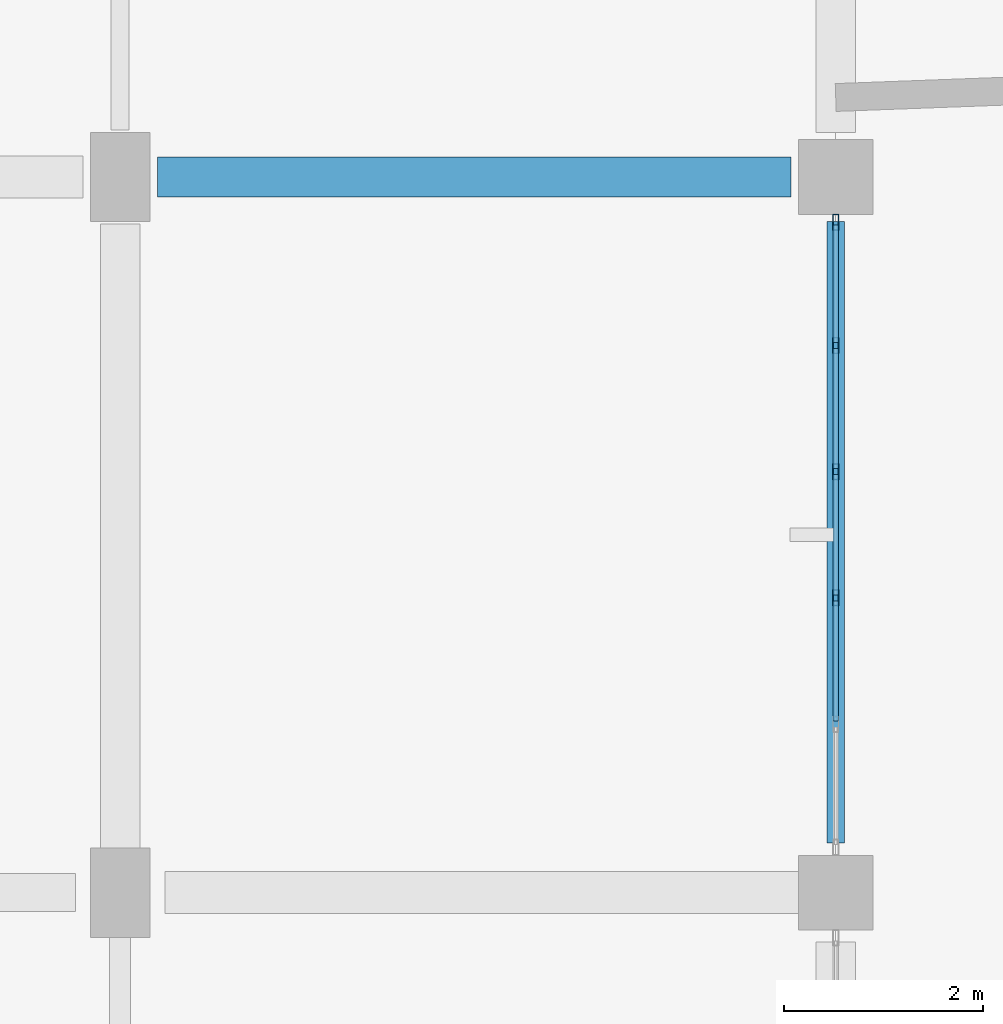
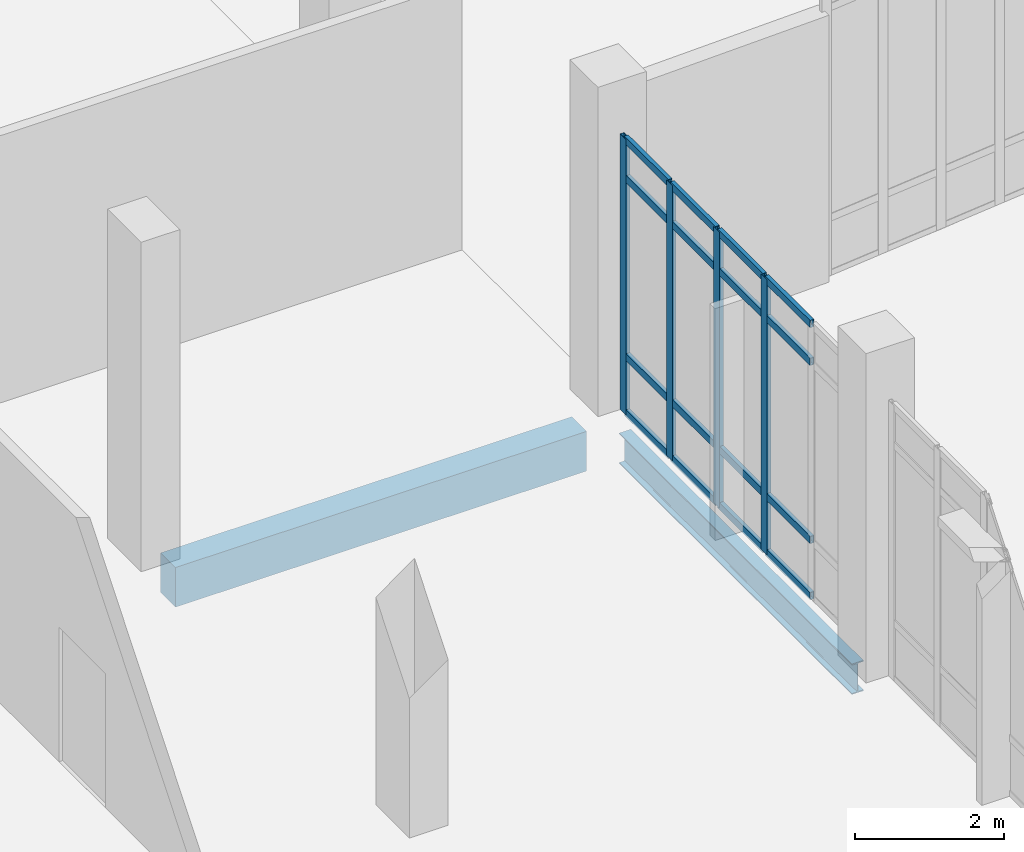
# One storey, part 19 of 110: 20 members, 2 beams, 1 element without a shape of its own.
"""IFC4 building model written with IfcOpenShell, lengths in metres."""

from ifc_helpers import new_model, si_unit, direction, frame, origin, origin_2d, place, context, subcontext, project, spatial, rectangle, hollow_rectangle, i_section, extrude, material, material_profile, profile_set, type_object, element, aggregate, save


model = new_model("IFC4")

# Units and contexts
model_context = context("Model", 3, precision=1e-05, world=origin(), true_north=direction((0.0, 1.0)))
body_context = subcontext(model_context, "Body", "Model", "MODEL_VIEW")
ifc_project = project(units=[si_unit("LENGTHUNIT", "METRE"), si_unit("AREAUNIT", "SQUARE_METRE"), si_unit("VOLUMEUNIT", "CUBIC_METRE"), si_unit("PLANEANGLEUNIT", "RADIAN"), si_unit("MASSUNIT", "GRAM", prefix="KILO")], contexts=[model_context])

# Site, building, storey
site_placement = place(None, origin())
site = spatial("IfcSite", under=ifc_project, at=site_placement, CompositionType="ELEMENT")
building_placement = place(site_placement, origin())
building = spatial("IfcBuilding", under=site, at=building_placement, Name="Kalluvel Institute of Natural Sciences", CompositionType="ELEMENT")
storey_placement = place(building_placement, origin())
storey = spatial("IfcBuildingStorey", under=building, at=storey_placement, Name="L00", CompositionType="ELEMENT", Elevation=0.0)

# Beams
ifc_material_1 = material(Name="Steel E350 Grade 350", Category="steel")
ifc_material_profile_1 = material_profile(ifc_material_1, i_section(OverallWidth=0.179931640625, OverallDepth=0.5, WebThickness=0.01025390625, FlangeThickness=0.01708984375, FilletRadius=0.01708984375, at=origin_2d()), Name="ISMB 500")
ifc_profile_set_1 = profile_set([ifc_material_profile_1], Name="Steel E350 Grade 350")
beam_type_1 = type_object("IfcBeamType", Name="BM-ISMB500", PredefinedType="BEAM", material=ifc_profile_set_1)
beam_1_placement = place(storey_placement, frame((35.60009765625, 43.300048828125, -0.570068359375), z_axis=(0.0, 1.0, 0.0), x_axis=(-1.0, 0.0, 0.0)))
element("IfcBeam", 1, at=beam_1_placement, inside=storey, type_object=beam_type_1, Name="L00 girder GIR-L00-NS-X356-Y428", PredefinedType="BEAM", context=body_context, shape_type="SweptSolid", body=[
    extrude(i_section(OverallWidth=0.179931640625, OverallDepth=0.5, WebThickness=0.01025390625, FlangeThickness=0.01708984375, FilletRadius=0.01708984375, at=origin_2d()), origin(), (0.0, 0.0, 1.0), 6.25),
])
ifc_material_2 = material(Name="Concrete M40", Category="concrete")
ifc_material_profile_2 = material_profile(ifc_material_2, rectangle(XDim=0.39990234375, YDim=0.64990234375, at=origin_2d()), Name="RCB 400x650")
ifc_profile_set_2 = profile_set([ifc_material_profile_2], Name="Concrete M40")
beam_type_2 = type_object("IfcBeamType", Name="BM-RC400x650", PredefinedType="BEAM", material=ifc_profile_set_2)
beam_2_placement = place(storey_placement, frame((28.77490234375, 50.0, -0.64501953125), z_axis=(1.0, 0.0, 0.0), x_axis=(0.0, 1.0, 0.0)))
element("IfcBeam", 2, at=beam_2_placement, inside=storey, type_object=beam_type_2, Name="L00 girder GIR-L00-EW-X284-Y500", PredefinedType="BEAM", context=body_context, shape_type="SweptSolid", body=[
    extrude(rectangle(XDim=0.39990234375, YDim=0.64990234375, at=origin_2d()), origin(), (0.0, 0.0, 1.0), 6.375),
])

# Curtain wall, members
ifc_material_3 = material(Name="Aluminium AW-6063 T6", Category="aluminium")
curtain_wall_type = type_object("IfcCurtainWallType", Name="CW-DRY-54", PredefinedType="USERDEFINED", material=ifc_material_3)
curtain_wall_placement = place(storey_placement, origin())
curtain_wall = element("IfcCurtainWall", 3, at=curtain_wall_placement, inside=storey, type_object=curtain_wall_type, Name="L00 Gothic lancet curtain wall CWA-L00-X356-Y432", ObjectType="UNITISED LANCET FACADE", PredefinedType="USERDEFINED")
ifc_material_profile_3 = material_profile(ifc_material_3, hollow_rectangle(XDim=0.06005859375, YDim=0.159912109375, WallThickness=0.00390625, at=origin_2d()), Name="CWM 60x160")
ifc_profile_set_3 = profile_set([ifc_material_profile_3], Name="Aluminium AW-6063 T6")
member_type_1 = type_object("IfcMemberType", Name="CWM-60x160", PredefinedType="MULLION", material=ifc_profile_set_3)
member_1_placement = place(storey_placement, frame((35.60009765625, 45.764892578125, 0.0), z_axis=(0.0, 0.0, 1.0), x_axis=(-1.0, 0.0, 0.0)))
member_1 = element("IfcMember", 4, at=member_1_placement, type_object=member_type_1, Name="CW-04 mullion 3", PredefinedType="MULLION", context=body_context, shape_type="SweptSolid", body=[
    extrude(hollow_rectangle(XDim=0.06005859375, YDim=0.159912109375, WallThickness=0.00390625, at=origin_2d()), origin(), (0.0, 0.0, 1.0), 4.52001953125),
])
member_2_placement = place(storey_placement, frame((35.60009765625, 47.034912109375, 0.0), z_axis=(0.0, 0.0, 1.0), x_axis=(-1.0, 0.0, 0.0)))
member_2 = element("IfcMember", 5, at=member_2_placement, type_object=member_type_1, Name="CW-04 mullion 4", PredefinedType="MULLION", context=body_context, shape_type="SweptSolid", body=[
    extrude(hollow_rectangle(XDim=0.06005859375, YDim=0.159912109375, WallThickness=0.00390625, at=origin_2d()), origin(), (0.0, 0.0, 1.0), 4.52001953125),
])
member_3_placement = place(storey_placement, frame((35.60009765625, 48.304931640625, 0.0), z_axis=(0.0, 0.0, 1.0), x_axis=(-1.0, 0.0, 0.0)))
member_3 = element("IfcMember", 6, at=member_3_placement, type_object=member_type_1, Name="CW-04 mullion 5", PredefinedType="MULLION", context=body_context, shape_type="SweptSolid", body=[
    extrude(hollow_rectangle(XDim=0.06005859375, YDim=0.159912109375, WallThickness=0.00390625, at=origin_2d()), origin(), (0.0, 0.0, 1.0), 4.52001953125),
])
member_4_placement = place(storey_placement, frame((35.60009765625, 49.544921875, 0.0), z_axis=(0.0, 0.0, 1.0), x_axis=(-1.0, 0.0, 0.0)))
member_4 = element("IfcMember", 7, at=member_4_placement, type_object=member_type_1, Name="CW-04 mullion 6", PredefinedType="MULLION", context=body_context, shape_type="SweptSolid", body=[
    extrude(hollow_rectangle(XDim=0.06005859375, YDim=0.159912109375, WallThickness=0.00390625, at=origin_2d()), origin(), (0.0, 0.0, 1.0), 4.52001953125),
])
ifc_material_profile_4 = material_profile(ifc_material_3, hollow_rectangle(XDim=0.06005859375, YDim=0.1201171875, WallThickness=0.00390625, at=origin_2d()), Name="CWT 60x120")
ifc_profile_set_4 = profile_set([ifc_material_profile_4], Name="Aluminium AW-6063 T6")
member_type_2 = type_object("IfcMemberType", Name="CWT-60x120", PredefinedType="USERDEFINED", material=ifc_profile_set_4)
member_5_placement = place(storey_placement, frame((35.60009765625, 44.52490234375, 0.030029296875), z_axis=(0.0, 1.0, 0.0), x_axis=(-1.0, 0.0, 0.0)))
member_5 = element("IfcMember", 8, at=member_5_placement, type_object=member_type_2, Name="CW-04 transom 2.1", ObjectType="TRANSOM", PredefinedType="USERDEFINED", context=body_context, shape_type="SweptSolid", body=[
    extrude(hollow_rectangle(XDim=0.06005859375, YDim=0.1201171875, WallThickness=0.00390625, at=origin_2d()), origin(), (0.0, 0.0, 1.0), 1.210205078125),
])
member_6_placement = place(storey_placement, frame((35.60009765625, 44.52490234375, 0.949951171875), z_axis=(0.0, 1.0, 0.0), x_axis=(-1.0, 0.0, 0.0)))
member_6 = element("IfcMember", 9, at=member_6_placement, type_object=member_type_2, Name="CW-04 transom 2.2", ObjectType="TRANSOM", PredefinedType="USERDEFINED", context=body_context, shape_type="SweptSolid", body=[
    extrude(hollow_rectangle(XDim=0.06005859375, YDim=0.1201171875, WallThickness=0.00390625, at=origin_2d()), origin(), (0.0, 0.0, 1.0), 1.210205078125),
])
member_7_placement = place(storey_placement, frame((35.60009765625, 44.52490234375, 3.8701171875), z_axis=(0.0, 1.0, 0.0), x_axis=(-1.0, 0.0, 0.0)))
member_7 = element("IfcMember", 10, at=member_7_placement, type_object=member_type_2, Name="CW-04 transom 2.3", ObjectType="TRANSOM", PredefinedType="USERDEFINED", context=body_context, shape_type="SweptSolid", body=[
    extrude(hollow_rectangle(XDim=0.06005859375, YDim=0.1201171875, WallThickness=0.00390625, at=origin_2d()), origin(), (0.0, 0.0, 1.0), 1.210205078125),
])
member_8_placement = place(storey_placement, frame((35.60009765625, 44.52490234375, 4.489990234375), z_axis=(0.0, 1.0, 0.0), x_axis=(-1.0, 0.0, 0.0)))
member_8 = element("IfcMember", 11, at=member_8_placement, type_object=member_type_2, Name="CW-04 transom 2.4", ObjectType="TRANSOM", PredefinedType="USERDEFINED", context=body_context, shape_type="SweptSolid", body=[
    extrude(hollow_rectangle(XDim=0.06005859375, YDim=0.1201171875, WallThickness=0.00390625, at=origin_2d()), origin(), (0.0, 0.0, 1.0), 1.210205078125),
])
member_9_placement = place(storey_placement, frame((35.60009765625, 45.794921875, 0.030029296875), z_axis=(0.0, 1.0, 0.0), x_axis=(-1.0, 0.0, 0.0)))
member_9 = element("IfcMember", 12, at=member_9_placement, type_object=member_type_2, Name="CW-04 transom 3.1", ObjectType="TRANSOM", PredefinedType="USERDEFINED", context=body_context, shape_type="SweptSolid", body=[
    extrude(hollow_rectangle(XDim=0.06005859375, YDim=0.1201171875, WallThickness=0.00390625, at=origin_2d()), origin(), (0.0, 0.0, 1.0), 1.2099609375),
])
member_10_placement = place(storey_placement, frame((35.60009765625, 45.794921875, 0.949951171875), z_axis=(0.0, 1.0, 0.0), x_axis=(-1.0, 0.0, 0.0)))
member_10 = element("IfcMember", 13, at=member_10_placement, type_object=member_type_2, Name="CW-04 transom 3.2", ObjectType="TRANSOM", PredefinedType="USERDEFINED", context=body_context, shape_type="SweptSolid", body=[
    extrude(hollow_rectangle(XDim=0.06005859375, YDim=0.1201171875, WallThickness=0.00390625, at=origin_2d()), origin(), (0.0, 0.0, 1.0), 1.2099609375),
])
member_11_placement = place(storey_placement, frame((35.60009765625, 45.794921875, 3.8701171875), z_axis=(0.0, 1.0, 0.0), x_axis=(-1.0, 0.0, 0.0)))
member_11 = element("IfcMember", 14, at=member_11_placement, type_object=member_type_2, Name="CW-04 transom 3.3", ObjectType="TRANSOM", PredefinedType="USERDEFINED", context=body_context, shape_type="SweptSolid", body=[
    extrude(hollow_rectangle(XDim=0.06005859375, YDim=0.1201171875, WallThickness=0.00390625, at=origin_2d()), origin(), (0.0, 0.0, 1.0), 1.2099609375),
])
member_12_placement = place(storey_placement, frame((35.60009765625, 45.794921875, 4.489990234375), z_axis=(0.0, 1.0, 0.0), x_axis=(-1.0, 0.0, 0.0)))
member_12 = element("IfcMember", 15, at=member_12_placement, type_object=member_type_2, Name="CW-04 transom 3.4", ObjectType="TRANSOM", PredefinedType="USERDEFINED", context=body_context, shape_type="SweptSolid", body=[
    extrude(hollow_rectangle(XDim=0.06005859375, YDim=0.1201171875, WallThickness=0.00390625, at=origin_2d()), origin(), (0.0, 0.0, 1.0), 1.2099609375),
])
member_13_placement = place(storey_placement, frame((35.60009765625, 47.06494140625, 0.030029296875), z_axis=(0.0, 1.0, 0.0), x_axis=(-1.0, 0.0, 0.0)))
member_13 = element("IfcMember", 16, at=member_13_placement, type_object=member_type_2, Name="CW-04 transom 4.1", ObjectType="TRANSOM", PredefinedType="USERDEFINED", context=body_context, shape_type="SweptSolid", body=[
    extrude(hollow_rectangle(XDim=0.06005859375, YDim=0.1201171875, WallThickness=0.00390625, at=origin_2d()), origin(), (0.0, 0.0, 1.0), 1.2099609375),
])
member_14_placement = place(storey_placement, frame((35.60009765625, 47.06494140625, 0.949951171875), z_axis=(0.0, 1.0, 0.0), x_axis=(-1.0, 0.0, 0.0)))
member_14 = element("IfcMember", 17, at=member_14_placement, type_object=member_type_2, Name="CW-04 transom 4.2", ObjectType="TRANSOM", PredefinedType="USERDEFINED", context=body_context, shape_type="SweptSolid", body=[
    extrude(hollow_rectangle(XDim=0.06005859375, YDim=0.1201171875, WallThickness=0.00390625, at=origin_2d()), origin(), (0.0, 0.0, 1.0), 1.2099609375),
])
member_15_placement = place(storey_placement, frame((35.60009765625, 47.06494140625, 3.8701171875), z_axis=(0.0, 1.0, 0.0), x_axis=(-1.0, 0.0, 0.0)))
member_15 = element("IfcMember", 18, at=member_15_placement, type_object=member_type_2, Name="CW-04 transom 4.3", ObjectType="TRANSOM", PredefinedType="USERDEFINED", context=body_context, shape_type="SweptSolid", body=[
    extrude(hollow_rectangle(XDim=0.06005859375, YDim=0.1201171875, WallThickness=0.00390625, at=origin_2d()), origin(), (0.0, 0.0, 1.0), 1.2099609375),
])
member_16_placement = place(storey_placement, frame((35.60009765625, 47.06494140625, 4.489990234375), z_axis=(0.0, 1.0, 0.0), x_axis=(-1.0, 0.0, 0.0)))
member_16 = element("IfcMember", 19, at=member_16_placement, type_object=member_type_2, Name="CW-04 transom 4.4", ObjectType="TRANSOM", PredefinedType="USERDEFINED", context=body_context, shape_type="SweptSolid", body=[
    extrude(hollow_rectangle(XDim=0.06005859375, YDim=0.1201171875, WallThickness=0.00390625, at=origin_2d()), origin(), (0.0, 0.0, 1.0), 1.2099609375),
])
member_17_placement = place(storey_placement, frame((35.60009765625, 48.3349609375, 0.030029296875), z_axis=(0.0, 1.0, 0.0), x_axis=(-1.0, 0.0, 0.0)))
member_17 = element("IfcMember", 20, at=member_17_placement, type_object=member_type_2, Name="CW-04 transom 5.1", ObjectType="TRANSOM", PredefinedType="USERDEFINED", context=body_context, shape_type="SweptSolid", body=[
    extrude(hollow_rectangle(XDim=0.06005859375, YDim=0.1201171875, WallThickness=0.00390625, at=origin_2d()), origin(), (0.0, 0.0, 1.0), 1.179931640625),
])
member_18_placement = place(storey_placement, frame((35.60009765625, 48.3349609375, 0.949951171875), z_axis=(0.0, 1.0, 0.0), x_axis=(-1.0, 0.0, 0.0)))
member_18 = element("IfcMember", 21, at=member_18_placement, type_object=member_type_2, Name="CW-04 transom 5.2", ObjectType="TRANSOM", PredefinedType="USERDEFINED", context=body_context, shape_type="SweptSolid", body=[
    extrude(hollow_rectangle(XDim=0.06005859375, YDim=0.1201171875, WallThickness=0.00390625, at=origin_2d()), origin(), (0.0, 0.0, 1.0), 1.179931640625),
])
member_19_placement = place(storey_placement, frame((35.60009765625, 48.3349609375, 3.8701171875), z_axis=(0.0, 1.0, 0.0), x_axis=(-1.0, 0.0, 0.0)))
member_19 = element("IfcMember", 22, at=member_19_placement, type_object=member_type_2, Name="CW-04 transom 5.3", ObjectType="TRANSOM", PredefinedType="USERDEFINED", context=body_context, shape_type="SweptSolid", body=[
    extrude(hollow_rectangle(XDim=0.06005859375, YDim=0.1201171875, WallThickness=0.00390625, at=origin_2d()), origin(), (0.0, 0.0, 1.0), 1.179931640625),
])
member_20_placement = place(storey_placement, frame((35.60009765625, 48.3349609375, 4.489990234375), z_axis=(0.0, 1.0, 0.0), x_axis=(-1.0, 0.0, 0.0)))
member_20 = element("IfcMember", 23, at=member_20_placement, type_object=member_type_2, Name="CW-04 transom 5.4", ObjectType="TRANSOM", PredefinedType="USERDEFINED", context=body_context, shape_type="SweptSolid", body=[
    extrude(hollow_rectangle(XDim=0.06005859375, YDim=0.1201171875, WallThickness=0.00390625, at=origin_2d()), origin(), (0.0, 0.0, 1.0), 1.179931640625),
])
aggregate(curtain_wall, [member_1, member_2, member_3, member_4, member_5, member_6, member_7, member_8, member_9, member_10, member_11, member_12, member_13, member_14, member_15, member_16, member_17, member_18, member_19, member_20])

save(model, "model.ifc")
